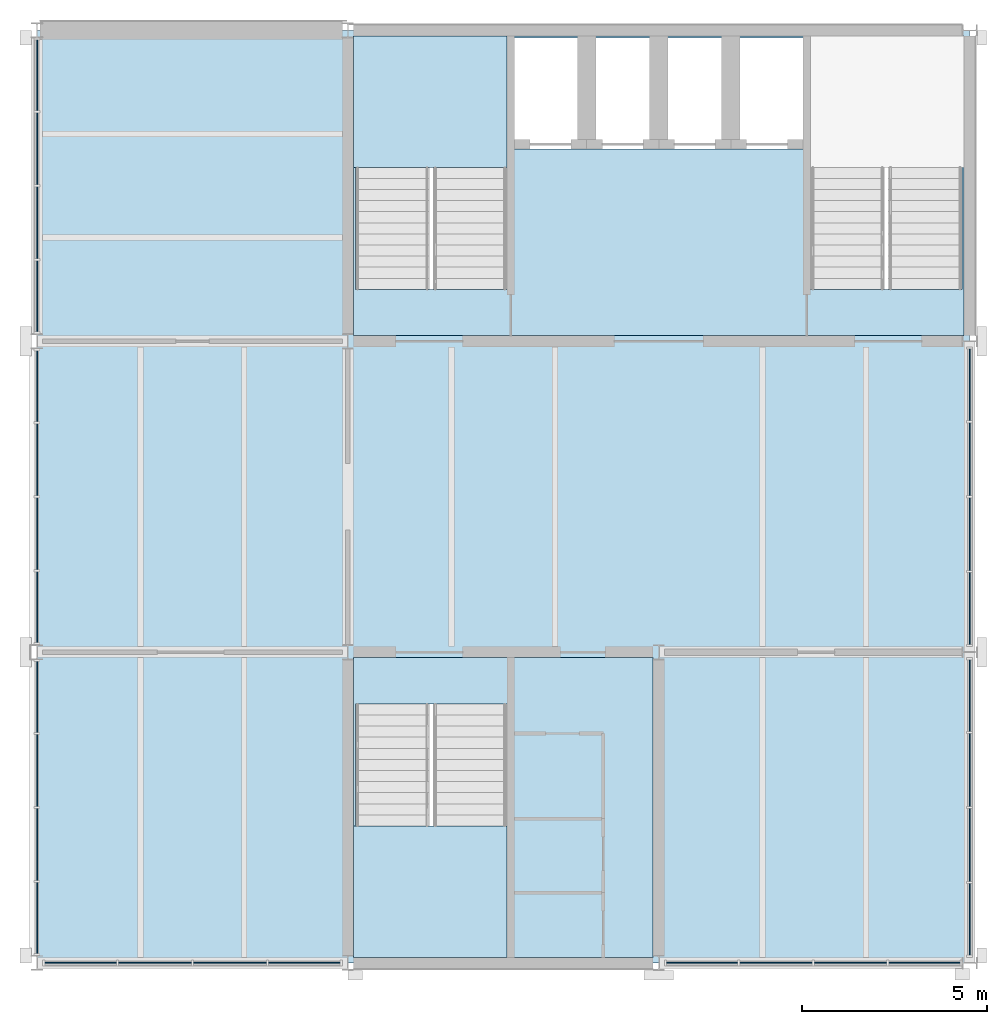
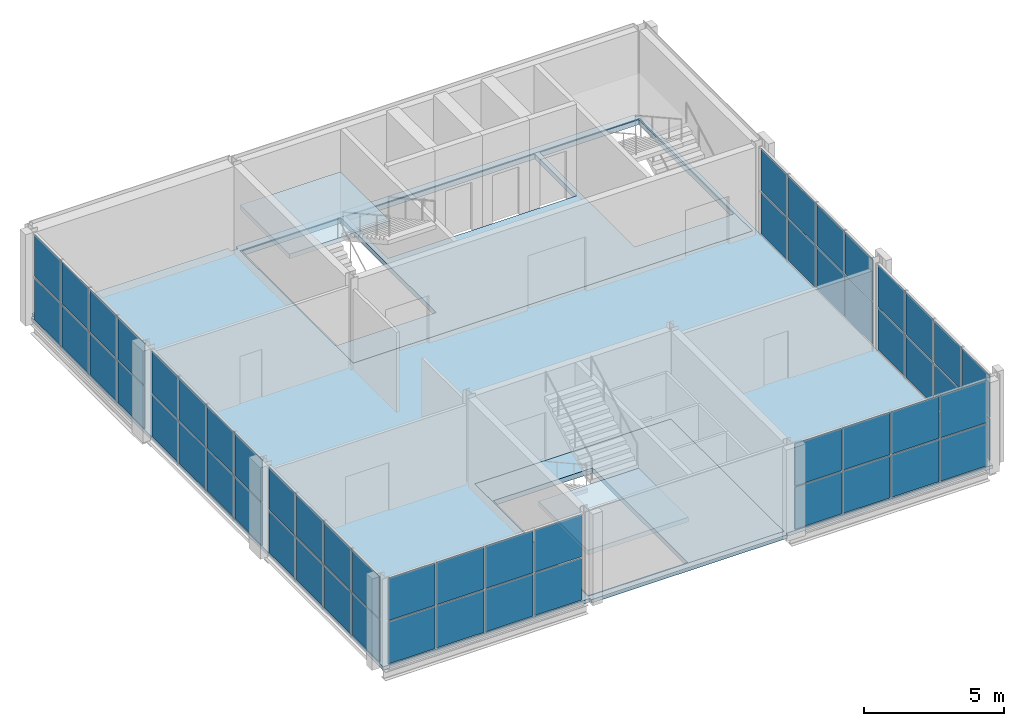
# One storey, part 5 of 8: 56 plates, 5 slabs, 9 elements without a shape of their own.
"""IFC4 building model written with IfcOpenShell, lengths in metres."""

import ifcopenshell
import ifcopenshell.guid

model = None  # the IFC model being written
_history = None  # IfcOwnerHistory: only IFC2X3 demands one
_inside = {}  # id of a spatial element -> (the spatial element, [elements in it])
_under = {}  # id of a project, library or spatial element -> (it, [spatial elements below it])
_declared = {}  # id of a project -> (the project, [libraries it declares])
_typed = {}  # id of a type object -> (the type object, [elements of that type])
_made_of = {}  # id of a material, layer set ... -> (it, [elements and type objects made of it])


def new_model(schema):
    """Start an empty IFC model of exactly this schema.

    Asked for "IFC4X3", IfcOpenShell would pick the latest addendum, in which some entities
    have other attributes; the version numbers below select the first issue.
    IFC2X3 requires an IfcOwnerHistory on every rooted entity: one is made here for all.
    """
    global model, _history
    if schema == "IFC4X3":
        model = ifcopenshell.file(schema_version=(4, 3, 0, 0))
    else:
        model = ifcopenshell.file(schema=schema)
    _inside.clear()
    _under.clear()
    _declared.clear()
    _typed.clear()
    _made_of.clear()
    _history = None
    if model.schema == "IFC2X3":
        org = make("IfcOrganization", Name="unknown")
        user = make(
            "IfcPersonAndOrganization",
            ThePerson=make("IfcPerson", FamilyName="unknown"),
            TheOrganization=org,
        )
        app = make(
            "IfcApplication",
            ApplicationDeveloper=org,
            Version="unknown",
            ApplicationFullName="unknown",
            ApplicationIdentifier="unknown",
        )
        _history = make(
            "IfcOwnerHistory",
            OwningUser=user,
            OwningApplication=app,
            ChangeAction="ADDED",
            CreationDate=0,
        )
    return model


def make(cls, **values):
    """One entity of the class cls with the attributes given. An attribute that is None is left unset."""
    return model.create_entity(
        cls, **{name: value for name, value in values.items() if value is not None}
    )


def rooted(cls, **values):
    """An entity with a GlobalId (a new one), such as an element, a storey or a relation."""
    return make(cls, GlobalId=ifcopenshell.guid.new(), OwnerHistory=_history, **values)


def si_unit(unit_type, name, prefix=None):
    """IfcSIUnit, for example si_unit("LENGTHUNIT", "METRE", prefix="MILLI")."""
    return make("IfcSIUnit", UnitType=unit_type, Prefix=prefix, Name=name)


def assignment(units):
    """IfcUnitAssignment: the units of a project."""
    return None if units is None else make("IfcUnitAssignment", Units=units)


def point(xyz):
    """IfcCartesianPoint."""
    return None if xyz is None else make("IfcCartesianPoint", Coordinates=xyz)


def direction(xyz):
    """IfcDirection."""
    return None if xyz is None else make("IfcDirection", DirectionRatios=xyz)


def frame(location, z_axis=None, x_axis=None):
    """IfcAxis2Placement3D, a coordinate frame: its origin and axes. An axis left out is left unset."""
    return make(
        "IfcAxis2Placement3D",
        Location=point(location),
        Axis=direction(z_axis),
        RefDirection=direction(x_axis),
    )


def frame_2d(location, x_axis=None):
    """IfcAxis2Placement2D, a coordinate frame in the plane: its origin and x axis."""
    return make(
        "IfcAxis2Placement2D", Location=point(location), RefDirection=direction(x_axis)
    )


def origin():
    """The frame at (0, 0, 0) with its axes left unset."""
    return frame((0.0, 0.0, 0.0))


def origin_2d():
    """The frame at (0, 0) in the plane with its x axis left unset."""
    return frame_2d((0.0, 0.0))


def place(relative_to, where):
    """IfcLocalPlacement: puts the frame where relative to a parent placement (None: the world)."""
    return make(
        "IfcLocalPlacement", PlacementRelTo=relative_to, RelativePlacement=where
    )


def context(
    kind, dimensions, precision=None, world=None, true_north=None, identifier=None
):
    """IfcGeometricRepresentationContext, for example the 3D "Model" context."""
    return make(
        "IfcGeometricRepresentationContext",
        ContextIdentifier=identifier,
        ContextType=kind,
        CoordinateSpaceDimension=dimensions,
        Precision=precision,
        WorldCoordinateSystem=world,
        TrueNorth=true_north,
    )


def subcontext(parent, identifier, kind, view, scale=None):
    """IfcGeometricRepresentationSubContext, for example "Body" below "Model"."""
    return make(
        "IfcGeometricRepresentationSubContext",
        ContextIdentifier=identifier,
        ContextType=kind,
        ParentContext=parent,
        TargetScale=scale,
        TargetView=view,
    )


def project(units=None, contexts=None):
    """IfcProject with its units and contexts."""
    return rooted(
        "IfcProject",
        Name="project",
        RepresentationContexts=contexts,
        UnitsInContext=assignment(units),
    )


def spatial(cls, under=None, at=None, **own):
    """A site, building, storey or space (cls), placed at a placement, below another one or the project."""
    s = rooted(cls, ObjectPlacement=at, **own)
    if under is not None:
        _under.setdefault(under.id(), (under, []))[1].append(s)
    return s


def polyline(points):
    """IfcPolyline through the points."""
    return make("IfcPolyline", Points=[point(p) for p in points])


def profile(cls, at=None, kind="AREA", **sizes):
    """A parametric profile (cls). Its sizes go by their IFC names, for example OverallWidth=200.0."""
    return make(cls, ProfileType=kind, Position=at, **sizes)


def rectangle(**sizes):
    """IfcRectangleProfileDef."""
    return profile("IfcRectangleProfileDef", **sizes)


def outline(outer, holes=None, kind="AREA"):
    """IfcArbitraryClosedProfileDef: a profile drawn as a closed curve; with holes, ...WithVoids."""
    if holes is None:
        return make("IfcArbitraryClosedProfileDef", ProfileType=kind, OuterCurve=outer)
    return make(
        "IfcArbitraryProfileDefWithVoids",
        ProfileType=kind,
        OuterCurve=outer,
        InnerCurves=holes,
    )


def extrude(swept, where, along, depth):
    """IfcExtrudedAreaSolid: the profile swept, set in the frame where, extruded along a direction by depth."""
    return make(
        "IfcExtrudedAreaSolid",
        SweptArea=swept,
        Position=where,
        ExtrudedDirection=direction(along),
        Depth=depth,
    )


def shape(context_of_items, identifier, shape_type, items):
    """IfcShapeRepresentation: the items that make up one representation, for example the "Body"."""
    return make(
        "IfcShapeRepresentation",
        ContextOfItems=context_of_items,
        RepresentationIdentifier=identifier,
        RepresentationType=shape_type,
        Items=items,
    )


def material(Name=None, Category=None):
    """IfcMaterial."""
    return make("IfcMaterial", Name=Name, Category=Category)


def layer(
    of_material, thickness, ventilated=None, Name=None, Category=None, Priority=None
):
    """IfcMaterialLayer: one layer of a wall or slab, of a material (None: an air gap)."""
    return make(
        "IfcMaterialLayer",
        Material=of_material,
        LayerThickness=thickness,
        IsVentilated=ventilated,
        Name=Name,
        Category=Category,
        Priority=Priority,
    )


def layer_set(layers, Name=None):
    """IfcMaterialLayerSet."""
    return make("IfcMaterialLayerSet", MaterialLayers=layers, LayerSetName=Name)


def made_of(thing, what):
    """Note that an element or type object is made of a material, layer set ...; save() writes the relation."""
    if what is not None:
        _made_of.setdefault(what.id(), (what, []))[1].append(thing)
    return thing


def type_object(cls, material=None, **own):
    """A type object (cls), such as IfcWallType, which elements share."""
    return made_of(rooted(cls, **own), material)


def element(
    cls,
    number,
    at=None,
    inside=None,
    cuts=None,
    type_object=None,
    material=None,
    context=None,
    identifier="Body",
    shape_type=None,
    held_by="IfcProductDefinitionShape",
    body=None,
    shapes=None,
    **own,
):
    """One element of the class cls, such as IfcWall. Its Tag is "e" and its number.

    at: its placement. inside: the storey or other place that contains it. cuts: it is an
    opening in that element (IfcRelVoidsElement). A single representation is given by context,
    identifier, shape_type and body (its items); several are given by shapes. held_by: the class
    of the entity that holds the representations. save() writes the other relations.
    """
    e = rooted(cls, Tag="e%d" % number, ObjectPlacement=at, **own)
    if body is not None:
        shapes = [shape(context, identifier, shape_type, body)]
    if shapes is not None:
        e.Representation = make(held_by, Representations=shapes)
    if inside is not None:
        _inside.setdefault(inside.id(), (inside, []))[1].append(e)
    if cuts is not None:
        rooted(
            "IfcRelVoidsElement", RelatingBuildingElement=cuts, RelatedOpeningElement=e
        )
    if type_object is not None:
        _typed.setdefault(type_object.id(), (type_object, []))[1].append(e)
    return made_of(e, material)


def aggregate(whole, parts):
    """IfcRelAggregates: a whole, such as a stair, and the parts it consists of."""
    return rooted("IfcRelAggregates", RelatingObject=whole, RelatedObjects=parts)


def save(model, path):
    """Write the relations noted so far, then the file.

    IfcRelAggregates (storeys below a building ...), IfcRelContainedInSpatialStructure (elements
    in a storey), IfcRelDefinesByType, IfcRelAssociatesMaterial and IfcRelDeclares: one each for
    every whole, place, type object, material and project.
    """
    for whole, parts in _under.values():
        aggregate(whole, parts)
    for where, things in _inside.values():
        rooted(
            "IfcRelContainedInSpatialStructure",
            RelatedElements=things,
            RelatingStructure=where,
        )
    for kind, things in _typed.values():
        rooted("IfcRelDefinesByType", RelatedObjects=things, RelatingType=kind)
    for what, things in _made_of.values():
        rooted("IfcRelAssociatesMaterial", RelatedObjects=things, RelatingMaterial=what)
    for by, libraries in _declared.values():
        rooted("IfcRelDeclares", RelatingContext=by, RelatedDefinitions=libraries)
    model.write(path)


model = new_model("IFC4")

# Units and contexts
model_context = context("Model", 3, precision=1e-05, world=origin(), true_north=direction((0.0, 1.0)))
body_context = subcontext(model_context, "Body", "Model", "MODEL_VIEW")
ifc_project = project(units=[si_unit("LENGTHUNIT", "METRE"), si_unit("AREAUNIT", "SQUARE_METRE"), si_unit("VOLUMEUNIT", "CUBIC_METRE"), si_unit("PLANEANGLEUNIT", "RADIAN"), si_unit("MASSUNIT", "GRAM", prefix="KILO")], contexts=[model_context])

# Site, building, storey
site_placement = place(None, origin())
site = spatial("IfcSite", under=ifc_project, at=site_placement, CompositionType="ELEMENT")
building_placement = place(site_placement, origin())
building = spatial("IfcBuilding", under=site, at=building_placement, Name="Galleria Vessillo Department Store", CompositionType="ELEMENT")
storey_placement = place(building_placement, frame((0.0, 0.0, 51.60009765625)))
storey = spatial("IfcBuildingStorey", under=building, at=storey_placement, Name="L11", CompositionType="ELEMENT", Elevation=51.60009765625)

# Slab
ifc_material_1 = material(Name="Concrete C32/40 composite on steel deck", Category="concrete")
ifc_layer_1 = layer(ifc_material_1, 0.14990234375)
ifc_layer_set_1 = layer_set([ifc_layer_1], Name="Concrete C32/40 composite on steel deck")
slab_type_1 = type_object("IfcSlabType", Name="Composite floor slab 150 mm", PredefinedType="FLOOR", material=ifc_layer_set_1)
slab_1_placement = place(storey_placement, frame((0.0, 0.0, -0.14990234375)))
element("IfcSlab", 1, at=slab_1_placement, inside=storey, type_object=slab_type_1, Name="S-SLAB-L11-FLOOR", PredefinedType="FLOOR", context=body_context, shape_type="SweptSolid", body=[
    extrude(outline(polyline([(100.95068359375, 37.800048828125), (92.39990234375, 37.800048828125), (92.39990234375, 63.0), (92.550537109375, 63.0), (92.550537109375, 63.199951171875), (100.6494140625, 63.199951171875), (100.6494140625, 63.0), (100.95068359375, 63.0), (100.95068359375, 63.1494140625), (117.3994140625, 63.1494140625), (117.3994140625, 63.0), (117.60009765625, 63.0), (117.60009765625, 37.800048828125), (109.04931640625, 37.800048828125), (109.04931640625, 37.699951171875), (100.95068359375, 37.699951171875), (100.95068359375, 37.800048828125)]), holes=[polyline([(109.050048828125, 37.949951171875), (109.050048828125, 46.050048828125), (100.949951171875, 46.050048828125), (100.949951171875, 37.949951171875), (109.050048828125, 37.949951171875)]), polyline([(117.4501953125, 54.75), (117.4501953125, 62.85009765625), (100.949951171875, 62.85009765625), (100.949951171875, 54.75), (117.4501953125, 54.75)])]), origin(), (0.0, 0.0, 1.0), 0.14990234375),
])

# Curtain wall, plates
ifc_material_2 = material(Name="Aluminium and glass curtain wall", Category="aluminium")
ifc_layer_2 = layer(ifc_material_2, 0.159912109375)
ifc_layer_set_2 = layer_set([ifc_layer_2], Name="Aluminium and glass curtain wall")
curtain_wall_type = type_object("IfcCurtainWallType", Name="Tower curtain wall CW4 2100 module", PredefinedType="NOTDEFINED", material=ifc_layer_set_2)
curtain_wall_1_placement = place(storey_placement, origin())
curtain_wall_1 = element("IfcCurtainWall", 2, at=curtain_wall_1_placement, inside=storey, type_object=curtain_wall_type, Name="Tower curtain wall CW4 2100 module TW-L11-01", PredefinedType="NOTDEFINED")
ifc_material_3 = material(Name="Glass laminated 44.2 low-e", Category="glass")
ifc_layer_3 = layer(ifc_material_3, 0.028076171875)
ifc_layer_set_3 = layer_set([ifc_layer_3], Name="Glass laminated 44.2 low-e")
plate_type_1 = type_object("IfcPlateType", Name="Laminated glass panel 28 mm", PredefinedType="CURTAIN_PANEL", material=ifc_layer_set_3)
plate_1_placement = place(storey_placement, frame((92.39990234375, 39.014892578125, 1.955078125), z_axis=(0.0, 0.0, 1.0), x_axis=(0.0, 1.0, 0.0)))
plate_1 = element("IfcPlate", 3, at=plate_1_placement, type_object=plate_type_1, Name="CW4 panel 1.2", PredefinedType="CURTAIN_PANEL", context=body_context, shape_type="SweptSolid", body=[
    extrude(rectangle(XDim=1.909912109375, YDim=0.028076171875, at=origin_2d()), origin(), (0.0, 0.0, 1.0), 1.835205078125),
])
plate_2_placement = place(storey_placement, frame((92.39990234375, 41.0, 1.955078125), z_axis=(0.0, 0.0, 1.0), x_axis=(0.0, 1.0, 0.0)))
plate_2 = element("IfcPlate", 4, at=plate_2_placement, type_object=plate_type_1, Name="CW4 panel 2.2", PredefinedType="CURTAIN_PANEL", context=body_context, shape_type="SweptSolid", body=[
    extrude(rectangle(XDim=1.93994140625, YDim=0.028076171875, at=origin_2d()), origin(), (0.0, 0.0, 1.0), 1.835205078125),
])
plate_3_placement = place(storey_placement, frame((92.39990234375, 43.0, 1.955078125), z_axis=(0.0, 0.0, 1.0), x_axis=(0.0, 1.0, 0.0)))
plate_3 = element("IfcPlate", 5, at=plate_3_placement, type_object=plate_type_1, Name="CW4 panel 3.2", PredefinedType="CURTAIN_PANEL", context=body_context, shape_type="SweptSolid", body=[
    extrude(rectangle(XDim=1.93994140625, YDim=0.028076171875, at=origin_2d()), origin(), (0.0, 0.0, 1.0), 1.835205078125),
])
plate_4_placement = place(storey_placement, frame((92.39990234375, 44.985107421875, 1.955078125), z_axis=(0.0, 0.0, 1.0), x_axis=(0.0, 1.0, 0.0)))
plate_4 = element("IfcPlate", 6, at=plate_4_placement, type_object=plate_type_1, Name="CW4 panel 4.2", PredefinedType="CURTAIN_PANEL", context=body_context, shape_type="SweptSolid", body=[
    extrude(rectangle(XDim=1.909912109375, YDim=0.028076171875, at=origin_2d()), origin(), (0.0, 0.0, 1.0), 1.835205078125),
])

curtain_wall_2_placement = place(storey_placement, origin())
curtain_wall_2 = element("IfcCurtainWall", 7, at=curtain_wall_2_placement, inside=storey, type_object=curtain_wall_type, Name="Tower curtain wall CW4 2100 module TW-L11-02", PredefinedType="NOTDEFINED")
plate_5_placement = place(storey_placement, frame((92.39990234375, 47.4150390625, 1.955078125), z_axis=(0.0, 0.0, 1.0), x_axis=(0.0, 1.0, 0.0)))
plate_5 = element("IfcPlate", 8, at=plate_5_placement, type_object=plate_type_1, Name="CW4 panel 1.2", PredefinedType="CURTAIN_PANEL", context=body_context, shape_type="SweptSolid", body=[
    extrude(rectangle(XDim=1.91015625, YDim=0.028076171875, at=origin_2d()), origin(), (0.0, 0.0, 1.0), 1.835205078125),
])
plate_6_placement = place(storey_placement, frame((92.39990234375, 49.39990234375, 1.955078125), z_axis=(0.0, 0.0, 1.0), x_axis=(0.0, 1.0, 0.0)))
plate_6 = element("IfcPlate", 9, at=plate_6_placement, type_object=plate_type_1, Name="CW4 panel 2.2", PredefinedType="CURTAIN_PANEL", context=body_context, shape_type="SweptSolid", body=[
    extrude(rectangle(XDim=1.93994140625, YDim=0.028076171875, at=origin_2d()), origin(), (0.0, 0.0, 1.0), 1.835205078125),
])
plate_7_placement = place(storey_placement, frame((92.39990234375, 51.400146484375, 1.955078125), z_axis=(0.0, 0.0, 1.0), x_axis=(0.0, 1.0, 0.0)))
plate_7 = element("IfcPlate", 10, at=plate_7_placement, type_object=plate_type_1, Name="CW4 panel 3.2", PredefinedType="CURTAIN_PANEL", context=body_context, shape_type="SweptSolid", body=[
    extrude(rectangle(XDim=1.93994140625, YDim=0.028076171875, at=origin_2d()), origin(), (0.0, 0.0, 1.0), 1.835205078125),
])
plate_8_placement = place(storey_placement, frame((92.39990234375, 53.385009765625, 1.955078125), z_axis=(0.0, 0.0, 1.0), x_axis=(0.0, 1.0, 0.0)))
plate_8 = element("IfcPlate", 11, at=plate_8_placement, type_object=plate_type_1, Name="CW4 panel 4.2", PredefinedType="CURTAIN_PANEL", context=body_context, shape_type="SweptSolid", body=[
    extrude(rectangle(XDim=1.91015625, YDim=0.028076171875, at=origin_2d()), origin(), (0.0, 0.0, 1.0), 1.835205078125),
])

curtain_wall_3_placement = place(storey_placement, origin())
curtain_wall_3 = element("IfcCurtainWall", 12, at=curtain_wall_3_placement, inside=storey, type_object=curtain_wall_type, Name="Tower curtain wall CW4 2100 module TW-L11-03", PredefinedType="NOTDEFINED")
plate_9_placement = place(storey_placement, frame((92.39990234375, 55.81494140625, 1.955078125), z_axis=(0.0, 0.0, 1.0), x_axis=(0.0, 1.0, 0.0)))
plate_9 = element("IfcPlate", 13, at=plate_9_placement, type_object=plate_type_1, Name="CW4 panel 1.2", PredefinedType="CURTAIN_PANEL", context=body_context, shape_type="SweptSolid", body=[
    extrude(rectangle(XDim=1.909912109375, YDim=0.028076171875, at=origin_2d()), origin(), (0.0, 0.0, 1.0), 1.835205078125),
])
plate_10_placement = place(storey_placement, frame((92.39990234375, 57.800048828125, 1.955078125), z_axis=(0.0, 0.0, 1.0), x_axis=(0.0, 1.0, 0.0)))
plate_10 = element("IfcPlate", 14, at=plate_10_placement, type_object=plate_type_1, Name="CW4 panel 2.2", PredefinedType="CURTAIN_PANEL", context=body_context, shape_type="SweptSolid", body=[
    extrude(rectangle(XDim=1.93994140625, YDim=0.028076171875, at=origin_2d()), origin(), (0.0, 0.0, 1.0), 1.835205078125),
])
plate_11_placement = place(storey_placement, frame((92.39990234375, 59.800048828125, 1.955078125), z_axis=(0.0, 0.0, 1.0), x_axis=(0.0, 1.0, 0.0)))
plate_11 = element("IfcPlate", 15, at=plate_11_placement, type_object=plate_type_1, Name="CW4 panel 3.2", PredefinedType="CURTAIN_PANEL", context=body_context, shape_type="SweptSolid", body=[
    extrude(rectangle(XDim=1.93994140625, YDim=0.028076171875, at=origin_2d()), origin(), (0.0, 0.0, 1.0), 1.835205078125),
])
plate_12_placement = place(storey_placement, frame((92.39990234375, 61.78515625, 1.955078125), z_axis=(0.0, 0.0, 1.0), x_axis=(0.0, 1.0, 0.0)))
plate_12 = element("IfcPlate", 16, at=plate_12_placement, type_object=plate_type_1, Name="CW4 panel 4.2", PredefinedType="CURTAIN_PANEL", context=body_context, shape_type="SweptSolid", body=[
    extrude(rectangle(XDim=1.909912109375, YDim=0.028076171875, at=origin_2d()), origin(), (0.0, 0.0, 1.0), 1.835205078125),
])

curtain_wall_4_placement = place(storey_placement, origin())
curtain_wall_4 = element("IfcCurtainWall", 17, at=curtain_wall_4_placement, inside=storey, type_object=curtain_wall_type, Name="Tower curtain wall CW4 2100 module TS-L11-01", PredefinedType="NOTDEFINED")
plate_13_placement = place(storey_placement, frame((93.577392578125, 37.800048828125, 1.955078125), z_axis=(0.0, 0.0, 1.0), x_axis=(1.0, 0.0, 0.0)))
plate_13 = element("IfcPlate", 18, at=plate_13_placement, type_object=plate_type_1, Name="CW4 panel 1.2", PredefinedType="CURTAIN_PANEL", context=body_context, shape_type="SweptSolid", body=[
    extrude(rectangle(XDim=1.93505859375, YDim=0.028076171875, at=origin_2d()), origin(), (0.0, 0.0, 1.0), 1.835205078125),
])
plate_14_placement = place(storey_placement, frame((95.58740234375, 37.800048828125, 1.955078125), z_axis=(0.0, 0.0, 1.0), x_axis=(1.0, 0.0, 0.0)))
plate_14 = element("IfcPlate", 19, at=plate_14_placement, type_object=plate_type_1, Name="CW4 panel 2.2", PredefinedType="CURTAIN_PANEL", context=body_context, shape_type="SweptSolid", body=[
    extrude(rectangle(XDim=1.965087890625, YDim=0.028076171875, at=origin_2d()), origin(), (0.0, 0.0, 1.0), 1.835205078125),
])
plate_15_placement = place(storey_placement, frame((97.612548828125, 37.800048828125, 1.955078125), z_axis=(0.0, 0.0, 1.0), x_axis=(1.0, 0.0, 0.0)))
plate_15 = element("IfcPlate", 20, at=plate_15_placement, type_object=plate_type_1, Name="CW4 panel 3.2", PredefinedType="CURTAIN_PANEL", context=body_context, shape_type="SweptSolid", body=[
    extrude(rectangle(XDim=1.965087890625, YDim=0.028076171875, at=origin_2d()), origin(), (0.0, 0.0, 1.0), 1.835205078125),
])
plate_16_placement = place(storey_placement, frame((99.62255859375, 37.800048828125, 1.955078125), z_axis=(0.0, 0.0, 1.0), x_axis=(1.0, 0.0, 0.0)))
plate_16 = element("IfcPlate", 21, at=plate_16_placement, type_object=plate_type_1, Name="CW4 panel 4.2", PredefinedType="CURTAIN_PANEL", context=body_context, shape_type="SweptSolid", body=[
    extrude(rectangle(XDim=1.93505859375, YDim=0.028076171875, at=origin_2d()), origin(), (0.0, 0.0, 1.0), 1.835205078125),
])

curtain_wall_5_placement = place(storey_placement, origin())
curtain_wall_5 = element("IfcCurtainWall", 22, at=curtain_wall_5_placement, inside=storey, type_object=curtain_wall_type, Name="Tower curtain wall CW4 2100 module TS-L11-02", PredefinedType="NOTDEFINED")
plate_17_placement = place(storey_placement, frame((110.37109375, 37.800048828125, 1.955078125), z_axis=(0.0, 0.0, 1.0), x_axis=(1.0, 0.0, 0.0)))
plate_17 = element("IfcPlate", 23, at=plate_17_placement, type_object=plate_type_1, Name="CW4 panel 1.2", PredefinedType="CURTAIN_PANEL", context=body_context, shape_type="SweptSolid", body=[
    extrude(rectangle(XDim=1.922607421875, YDim=0.028076171875, at=origin_2d()), origin(), (0.0, 0.0, 1.0), 1.835205078125),
])
plate_18_placement = place(storey_placement, frame((112.36865234375, 37.800048828125, 1.955078125), z_axis=(0.0, 0.0, 1.0), x_axis=(1.0, 0.0, 0.0)))
plate_18 = element("IfcPlate", 24, at=plate_18_placement, type_object=plate_type_1, Name="CW4 panel 2.2", PredefinedType="CURTAIN_PANEL", context=body_context, shape_type="SweptSolid", body=[
    extrude(rectangle(XDim=1.95263671875, YDim=0.028076171875, at=origin_2d()), origin(), (0.0, 0.0, 1.0), 1.835205078125),
])
plate_19_placement = place(storey_placement, frame((114.38134765625, 37.800048828125, 1.955078125), z_axis=(0.0, 0.0, 1.0), x_axis=(1.0, 0.0, 0.0)))
plate_19 = element("IfcPlate", 25, at=plate_19_placement, type_object=plate_type_1, Name="CW4 panel 3.2", PredefinedType="CURTAIN_PANEL", context=body_context, shape_type="SweptSolid", body=[
    extrude(rectangle(XDim=1.95263671875, YDim=0.028076171875, at=origin_2d()), origin(), (0.0, 0.0, 1.0), 1.835205078125),
])
plate_20_placement = place(storey_placement, frame((116.37890625, 37.800048828125, 1.955078125), z_axis=(0.0, 0.0, 1.0), x_axis=(1.0, 0.0, 0.0)))
plate_20 = element("IfcPlate", 26, at=plate_20_placement, type_object=plate_type_1, Name="CW4 panel 4.2", PredefinedType="CURTAIN_PANEL", context=body_context, shape_type="SweptSolid", body=[
    extrude(rectangle(XDim=1.922607421875, YDim=0.028076171875, at=origin_2d()), origin(), (0.0, 0.0, 1.0), 1.835205078125),
])

curtain_wall_6_placement = place(storey_placement, origin())
curtain_wall_6 = element("IfcCurtainWall", 27, at=curtain_wall_6_placement, inside=storey, type_object=curtain_wall_type, Name="Tower curtain wall CW4 2100 module TE-L11-01", PredefinedType="NOTDEFINED")
plate_21_placement = place(storey_placement, frame((117.60009765625, 38.9775390625, 1.955078125), z_axis=(0.0, 0.0, 1.0), x_axis=(0.0, 1.0, 0.0)))
plate_21 = element("IfcPlate", 28, at=plate_21_placement, type_object=plate_type_1, Name="CW4 panel 1.2", PredefinedType="CURTAIN_PANEL", context=body_context, shape_type="SweptSolid", body=[
    extrude(rectangle(XDim=1.93505859375, YDim=0.028076171875, at=origin_2d()), origin(), (0.0, 0.0, 1.0), 1.835205078125),
])
plate_22_placement = place(storey_placement, frame((117.60009765625, 40.987548828125, 1.955078125), z_axis=(0.0, 0.0, 1.0), x_axis=(0.0, 1.0, 0.0)))
plate_22 = element("IfcPlate", 29, at=plate_22_placement, type_object=plate_type_1, Name="CW4 panel 2.2", PredefinedType="CURTAIN_PANEL", context=body_context, shape_type="SweptSolid", body=[
    extrude(rectangle(XDim=1.965087890625, YDim=0.028076171875, at=origin_2d()), origin(), (0.0, 0.0, 1.0), 1.835205078125),
])
plate_23_placement = place(storey_placement, frame((117.60009765625, 43.012451171875, 1.955078125), z_axis=(0.0, 0.0, 1.0), x_axis=(0.0, 1.0, 0.0)))
plate_23 = element("IfcPlate", 30, at=plate_23_placement, type_object=plate_type_1, Name="CW4 panel 3.2", PredefinedType="CURTAIN_PANEL", context=body_context, shape_type="SweptSolid", body=[
    extrude(rectangle(XDim=1.965087890625, YDim=0.028076171875, at=origin_2d()), origin(), (0.0, 0.0, 1.0), 1.835205078125),
])
plate_24_placement = place(storey_placement, frame((117.60009765625, 45.0224609375, 1.955078125), z_axis=(0.0, 0.0, 1.0), x_axis=(0.0, 1.0, 0.0)))
plate_24 = element("IfcPlate", 31, at=plate_24_placement, type_object=plate_type_1, Name="CW4 panel 4.2", PredefinedType="CURTAIN_PANEL", context=body_context, shape_type="SweptSolid", body=[
    extrude(rectangle(XDim=1.93505859375, YDim=0.028076171875, at=origin_2d()), origin(), (0.0, 0.0, 1.0), 1.835205078125),
])

curtain_wall_7_placement = place(storey_placement, origin())
curtain_wall_7 = element("IfcCurtainWall", 32, at=curtain_wall_7_placement, inside=storey, type_object=curtain_wall_type, Name="Tower curtain wall CW4 2100 module TE-L11-02", PredefinedType="NOTDEFINED")
plate_25_placement = place(storey_placement, frame((117.60009765625, 47.37744140625, 1.955078125), z_axis=(0.0, 0.0, 1.0), x_axis=(0.0, 1.0, 0.0)))
plate_25 = element("IfcPlate", 33, at=plate_25_placement, type_object=plate_type_1, Name="CW4 panel 1.2", PredefinedType="CURTAIN_PANEL", context=body_context, shape_type="SweptSolid", body=[
    extrude(rectangle(XDim=1.93505859375, YDim=0.028076171875, at=origin_2d()), origin(), (0.0, 0.0, 1.0), 1.835205078125),
])
plate_26_placement = place(storey_placement, frame((117.60009765625, 49.387451171875, 1.955078125), z_axis=(0.0, 0.0, 1.0), x_axis=(0.0, 1.0, 0.0)))
plate_26 = element("IfcPlate", 34, at=plate_26_placement, type_object=plate_type_1, Name="CW4 panel 2.2", PredefinedType="CURTAIN_PANEL", context=body_context, shape_type="SweptSolid", body=[
    extrude(rectangle(XDim=1.965087890625, YDim=0.028076171875, at=origin_2d()), origin(), (0.0, 0.0, 1.0), 1.835205078125),
])
plate_27_placement = place(storey_placement, frame((117.60009765625, 51.41259765625, 1.955078125), z_axis=(0.0, 0.0, 1.0), x_axis=(0.0, 1.0, 0.0)))
plate_27 = element("IfcPlate", 35, at=plate_27_placement, type_object=plate_type_1, Name="CW4 panel 3.2", PredefinedType="CURTAIN_PANEL", context=body_context, shape_type="SweptSolid", body=[
    extrude(rectangle(XDim=1.965087890625, YDim=0.028076171875, at=origin_2d()), origin(), (0.0, 0.0, 1.0), 1.835205078125),
])
plate_28_placement = place(storey_placement, frame((117.60009765625, 53.422607421875, 1.955078125), z_axis=(0.0, 0.0, 1.0), x_axis=(0.0, 1.0, 0.0)))
plate_28 = element("IfcPlate", 36, at=plate_28_placement, type_object=plate_type_1, Name="CW4 panel 4.2", PredefinedType="CURTAIN_PANEL", context=body_context, shape_type="SweptSolid", body=[
    extrude(rectangle(XDim=1.93505859375, YDim=0.028076171875, at=origin_2d()), origin(), (0.0, 0.0, 1.0), 1.835205078125),
])

# Slabs
ifc_material_4 = material(Name="Concrete C32/40 reinforced", Category="concrete")
ifc_layer_4 = layer(ifc_material_4, 0.219970703125)
ifc_layer_set_4 = layer_set([ifc_layer_4], Name="Concrete C32/40 reinforced")
slab_type_2 = type_object("IfcSlabType", Name="Reinforced concrete core floor slab 220 mm", PredefinedType="FLOOR", material=ifc_layer_set_4)
slab_2_placement = place(storey_placement, frame((0.0, 0.0, -0.219970703125)))
element("IfcSlab", 37, at=slab_2_placement, inside=storey, type_object=slab_type_2, Name="S-SLAB-L11-CORE-TC", PredefinedType="FLOOR", context=body_context, shape_type="SweptSolid", body=[
    extrude(outline(polyline([(100.949951171875, 54.75), (100.949951171875, 62.85009765625), (117.4501953125, 62.85009765625), (117.4501953125, 54.75), (100.949951171875, 54.75)]), holes=[polyline([(105.10009765625, 56.0), (105.10009765625, 62.800048828125), (101.0, 62.800048828125), (101.0, 56.0), (105.10009765625, 56.0)]), polyline([(113.300048828125, 56.0), (117.39990234375, 56.0), (117.39990234375, 62.800048828125), (113.300048828125, 62.800048828125), (113.300048828125, 56.0)]), polyline([(105.300048828125, 59.800048828125), (113.10009765625, 59.800048828125), (113.10009765625, 62.800048828125), (105.300048828125, 62.800048828125), (105.300048828125, 59.800048828125)])]), origin(), (0.0, 0.0, 1.0), 0.219970703125),
])
slab_3_placement = place(storey_placement, frame((0.0, 0.0, -0.219970703125)))
element("IfcSlab", 38, at=slab_3_placement, inside=storey, type_object=slab_type_2, Name="S-SLAB-L11-CORE-TS", PredefinedType="FLOOR", context=body_context, shape_type="SweptSolid", body=[
    extrude(outline(polyline([(100.949951171875, 37.949951171875), (100.949951171875, 46.050048828125), (109.050048828125, 46.050048828125), (109.050048828125, 37.949951171875), (100.949951171875, 37.949951171875)]), holes=[polyline([(105.10009765625, 44.800048828125), (101.0, 44.800048828125), (101.0, 38.0), (105.10009765625, 38.0), (105.10009765625, 44.800048828125)])]), origin(), (0.0, 0.0, 1.0), 0.219970703125),
])

# Stair, slab
ifc_material_5 = material(Name="Concrete C32/40", Category="concrete")
stair_type = type_object("IfcStairType", Name="Half-turn escape stair 2000 mm, 24 risers of 167 mm", PredefinedType="HALF_TURN_STAIR", material=ifc_material_5)
stair_1_placement = place(storey_placement, origin())
stair_1 = element("IfcStair", 39, at=stair_1_placement, inside=storey, type_object=stair_type, Name="Stair ST8 L11", PredefinedType="HALF_TURN_STAIR")
ifc_material_6 = material(Name="Concrete C32/40", Category="concrete")
ifc_layer_5 = layer(ifc_material_6, 0.199951171875)
ifc_layer_set_5 = layer_set([ifc_layer_5], Name="Concrete C32/40")
slab_type_3 = type_object("IfcSlabType", Name="Stair half landing 4150 x 3550 mm", PredefinedType="LANDING", material=ifc_layer_set_5)
slab_4_placement = place(storey_placement, frame((0.0, 0.0, 1.800048828125)))
slab_4 = element("IfcSlab", 40, at=slab_4_placement, type_object=slab_type_3, Name="ST8 landing 1", PredefinedType="LANDING", context=body_context, shape_type="SweptSolid", body=[
    extrude(outline(polyline([(100.949951171875, 59.300048828125), (100.949951171875, 62.85009765625), (105.10009765625, 62.85009765625), (105.10009765625, 59.300048828125), (100.949951171875, 59.300048828125)])), origin(), (0.0, 0.0, 1.0), 0.199951171875),
])
aggregate(stair_1, [slab_4])

stair_2_placement = place(storey_placement, origin())
stair_2 = element("IfcStair", 41, at=stair_2_placement, inside=storey, type_object=stair_type, Name="Stair ST12 L11", PredefinedType="HALF_TURN_STAIR")
slab_5_placement = place(storey_placement, frame((0.0, 0.0, 1.800048828125)))
slab_5 = element("IfcSlab", 42, at=slab_5_placement, type_object=slab_type_3, Name="ST12 landing 1", PredefinedType="LANDING", context=body_context, shape_type="SweptSolid", body=[
    extrude(outline(polyline([(100.949951171875, 37.949951171875), (100.949951171875, 41.5), (105.10009765625, 41.5), (105.10009765625, 37.949951171875), (100.949951171875, 37.949951171875)])), origin(), (0.0, 0.0, 1.0), 0.199951171875),
])
aggregate(stair_2, [slab_5])

# Plate
ifc_material_7 = material(Name="Limestone spandrel on aluminium tray", Category="masonry")
ifc_layer_6 = layer(ifc_material_7, 0.028076171875)
ifc_layer_set_6 = layer_set([ifc_layer_6], Name="Limestone spandrel on aluminium tray")
plate_type_2 = type_object("IfcPlateType", Name="Stone spandrel panel 28 mm", PredefinedType="CURTAIN_PANEL", material=ifc_layer_set_6)
plate_29_placement = place(storey_placement, frame((92.39990234375, 39.014892578125, 0.06005859375), z_axis=(0.0, 0.0, 1.0), x_axis=(0.0, 1.0, 0.0)))
plate_29 = element("IfcPlate", 43, at=plate_29_placement, type_object=plate_type_2, Name="CW4 panel 1.1", PredefinedType="CURTAIN_PANEL", context=body_context, shape_type="SweptSolid", body=[
    extrude(rectangle(XDim=1.909912109375, YDim=0.028076171875, at=origin_2d()), origin(), (0.0, 0.0, 1.0), 1.8349609375),
])

plate_30_placement = place(storey_placement, frame((92.39990234375, 41.0, 0.06005859375), z_axis=(0.0, 0.0, 1.0), x_axis=(0.0, 1.0, 0.0)))
plate_30 = element("IfcPlate", 44, at=plate_30_placement, type_object=plate_type_2, Name="CW4 panel 2.1", PredefinedType="CURTAIN_PANEL", context=body_context, shape_type="SweptSolid", body=[
    extrude(rectangle(XDim=1.93994140625, YDim=0.028076171875, at=origin_2d()), origin(), (0.0, 0.0, 1.0), 1.8349609375),
])

plate_31_placement = place(storey_placement, frame((92.39990234375, 43.0, 0.06005859375), z_axis=(0.0, 0.0, 1.0), x_axis=(0.0, 1.0, 0.0)))
plate_31 = element("IfcPlate", 45, at=plate_31_placement, type_object=plate_type_2, Name="CW4 panel 3.1", PredefinedType="CURTAIN_PANEL", context=body_context, shape_type="SweptSolid", body=[
    extrude(rectangle(XDim=1.93994140625, YDim=0.028076171875, at=origin_2d()), origin(), (0.0, 0.0, 1.0), 1.8349609375),
])

plate_32_placement = place(storey_placement, frame((92.39990234375, 44.985107421875, 0.06005859375), z_axis=(0.0, 0.0, 1.0), x_axis=(0.0, 1.0, 0.0)))
plate_32 = element("IfcPlate", 46, at=plate_32_placement, type_object=plate_type_2, Name="CW4 panel 4.1", PredefinedType="CURTAIN_PANEL", context=body_context, shape_type="SweptSolid", body=[
    extrude(rectangle(XDim=1.909912109375, YDim=0.028076171875, at=origin_2d()), origin(), (0.0, 0.0, 1.0), 1.8349609375),
])

aggregate(curtain_wall_1, [plate_29, plate_1, plate_30, plate_2, plate_31, plate_3, plate_32, plate_4])

plate_33_placement = place(storey_placement, frame((92.39990234375, 47.4150390625, 0.06005859375), z_axis=(0.0, 0.0, 1.0), x_axis=(0.0, 1.0, 0.0)))
plate_33 = element("IfcPlate", 47, at=plate_33_placement, type_object=plate_type_2, Name="CW4 panel 1.1", PredefinedType="CURTAIN_PANEL", context=body_context, shape_type="SweptSolid", body=[
    extrude(rectangle(XDim=1.91015625, YDim=0.028076171875, at=origin_2d()), origin(), (0.0, 0.0, 1.0), 1.8349609375),
])

plate_34_placement = place(storey_placement, frame((92.39990234375, 49.39990234375, 0.06005859375), z_axis=(0.0, 0.0, 1.0), x_axis=(0.0, 1.0, 0.0)))
plate_34 = element("IfcPlate", 48, at=plate_34_placement, type_object=plate_type_2, Name="CW4 panel 2.1", PredefinedType="CURTAIN_PANEL", context=body_context, shape_type="SweptSolid", body=[
    extrude(rectangle(XDim=1.93994140625, YDim=0.028076171875, at=origin_2d()), origin(), (0.0, 0.0, 1.0), 1.8349609375),
])

plate_35_placement = place(storey_placement, frame((92.39990234375, 51.400146484375, 0.06005859375), z_axis=(0.0, 0.0, 1.0), x_axis=(0.0, 1.0, 0.0)))
plate_35 = element("IfcPlate", 49, at=plate_35_placement, type_object=plate_type_2, Name="CW4 panel 3.1", PredefinedType="CURTAIN_PANEL", context=body_context, shape_type="SweptSolid", body=[
    extrude(rectangle(XDim=1.93994140625, YDim=0.028076171875, at=origin_2d()), origin(), (0.0, 0.0, 1.0), 1.8349609375),
])

plate_36_placement = place(storey_placement, frame((92.39990234375, 53.385009765625, 0.06005859375), z_axis=(0.0, 0.0, 1.0), x_axis=(0.0, 1.0, 0.0)))
plate_36 = element("IfcPlate", 50, at=plate_36_placement, type_object=plate_type_2, Name="CW4 panel 4.1", PredefinedType="CURTAIN_PANEL", context=body_context, shape_type="SweptSolid", body=[
    extrude(rectangle(XDim=1.91015625, YDim=0.028076171875, at=origin_2d()), origin(), (0.0, 0.0, 1.0), 1.8349609375),
])

aggregate(curtain_wall_2, [plate_33, plate_5, plate_34, plate_6, plate_35, plate_7, plate_36, plate_8])

plate_37_placement = place(storey_placement, frame((92.39990234375, 55.81494140625, 0.06005859375), z_axis=(0.0, 0.0, 1.0), x_axis=(0.0, 1.0, 0.0)))
plate_37 = element("IfcPlate", 51, at=plate_37_placement, type_object=plate_type_2, Name="CW4 panel 1.1", PredefinedType="CURTAIN_PANEL", context=body_context, shape_type="SweptSolid", body=[
    extrude(rectangle(XDim=1.909912109375, YDim=0.028076171875, at=origin_2d()), origin(), (0.0, 0.0, 1.0), 1.8349609375),
])

plate_38_placement = place(storey_placement, frame((92.39990234375, 57.800048828125, 0.06005859375), z_axis=(0.0, 0.0, 1.0), x_axis=(0.0, 1.0, 0.0)))
plate_38 = element("IfcPlate", 52, at=plate_38_placement, type_object=plate_type_2, Name="CW4 panel 2.1", PredefinedType="CURTAIN_PANEL", context=body_context, shape_type="SweptSolid", body=[
    extrude(rectangle(XDim=1.93994140625, YDim=0.028076171875, at=origin_2d()), origin(), (0.0, 0.0, 1.0), 1.8349609375),
])

plate_39_placement = place(storey_placement, frame((92.39990234375, 59.800048828125, 0.06005859375), z_axis=(0.0, 0.0, 1.0), x_axis=(0.0, 1.0, 0.0)))
plate_39 = element("IfcPlate", 53, at=plate_39_placement, type_object=plate_type_2, Name="CW4 panel 3.1", PredefinedType="CURTAIN_PANEL", context=body_context, shape_type="SweptSolid", body=[
    extrude(rectangle(XDim=1.93994140625, YDim=0.028076171875, at=origin_2d()), origin(), (0.0, 0.0, 1.0), 1.8349609375),
])

plate_40_placement = place(storey_placement, frame((92.39990234375, 61.78515625, 0.06005859375), z_axis=(0.0, 0.0, 1.0), x_axis=(0.0, 1.0, 0.0)))
plate_40 = element("IfcPlate", 54, at=plate_40_placement, type_object=plate_type_2, Name="CW4 panel 4.1", PredefinedType="CURTAIN_PANEL", context=body_context, shape_type="SweptSolid", body=[
    extrude(rectangle(XDim=1.909912109375, YDim=0.028076171875, at=origin_2d()), origin(), (0.0, 0.0, 1.0), 1.8349609375),
])

aggregate(curtain_wall_3, [plate_37, plate_9, plate_38, plate_10, plate_39, plate_11, plate_40, plate_12])

plate_41_placement = place(storey_placement, frame((93.577392578125, 37.800048828125, 0.06005859375), z_axis=(0.0, 0.0, 1.0), x_axis=(1.0, 0.0, 0.0)))
plate_41 = element("IfcPlate", 55, at=plate_41_placement, type_object=plate_type_2, Name="CW4 panel 1.1", PredefinedType="CURTAIN_PANEL", context=body_context, shape_type="SweptSolid", body=[
    extrude(rectangle(XDim=1.93505859375, YDim=0.028076171875, at=origin_2d()), origin(), (0.0, 0.0, 1.0), 1.8349609375),
])

plate_42_placement = place(storey_placement, frame((95.58740234375, 37.800048828125, 0.06005859375), z_axis=(0.0, 0.0, 1.0), x_axis=(1.0, 0.0, 0.0)))
plate_42 = element("IfcPlate", 56, at=plate_42_placement, type_object=plate_type_2, Name="CW4 panel 2.1", PredefinedType="CURTAIN_PANEL", context=body_context, shape_type="SweptSolid", body=[
    extrude(rectangle(XDim=1.965087890625, YDim=0.028076171875, at=origin_2d()), origin(), (0.0, 0.0, 1.0), 1.8349609375),
])

plate_43_placement = place(storey_placement, frame((97.612548828125, 37.800048828125, 0.06005859375), z_axis=(0.0, 0.0, 1.0), x_axis=(1.0, 0.0, 0.0)))
plate_43 = element("IfcPlate", 57, at=plate_43_placement, type_object=plate_type_2, Name="CW4 panel 3.1", PredefinedType="CURTAIN_PANEL", context=body_context, shape_type="SweptSolid", body=[
    extrude(rectangle(XDim=1.965087890625, YDim=0.028076171875, at=origin_2d()), origin(), (0.0, 0.0, 1.0), 1.8349609375),
])

plate_44_placement = place(storey_placement, frame((99.62255859375, 37.800048828125, 0.06005859375), z_axis=(0.0, 0.0, 1.0), x_axis=(1.0, 0.0, 0.0)))
plate_44 = element("IfcPlate", 58, at=plate_44_placement, type_object=plate_type_2, Name="CW4 panel 4.1", PredefinedType="CURTAIN_PANEL", context=body_context, shape_type="SweptSolid", body=[
    extrude(rectangle(XDim=1.93505859375, YDim=0.028076171875, at=origin_2d()), origin(), (0.0, 0.0, 1.0), 1.8349609375),
])

aggregate(curtain_wall_4, [plate_41, plate_13, plate_42, plate_14, plate_43, plate_15, plate_44, plate_16])

plate_45_placement = place(storey_placement, frame((110.37109375, 37.800048828125, 0.06005859375), z_axis=(0.0, 0.0, 1.0), x_axis=(1.0, 0.0, 0.0)))
plate_45 = element("IfcPlate", 59, at=plate_45_placement, type_object=plate_type_2, Name="CW4 panel 1.1", PredefinedType="CURTAIN_PANEL", context=body_context, shape_type="SweptSolid", body=[
    extrude(rectangle(XDim=1.922607421875, YDim=0.028076171875, at=origin_2d()), origin(), (0.0, 0.0, 1.0), 1.8349609375),
])

plate_46_placement = place(storey_placement, frame((112.36865234375, 37.800048828125, 0.06005859375), z_axis=(0.0, 0.0, 1.0), x_axis=(1.0, 0.0, 0.0)))
plate_46 = element("IfcPlate", 60, at=plate_46_placement, type_object=plate_type_2, Name="CW4 panel 2.1", PredefinedType="CURTAIN_PANEL", context=body_context, shape_type="SweptSolid", body=[
    extrude(rectangle(XDim=1.95263671875, YDim=0.028076171875, at=origin_2d()), origin(), (0.0, 0.0, 1.0), 1.8349609375),
])

plate_47_placement = place(storey_placement, frame((114.38134765625, 37.800048828125, 0.06005859375), z_axis=(0.0, 0.0, 1.0), x_axis=(1.0, 0.0, 0.0)))
plate_47 = element("IfcPlate", 61, at=plate_47_placement, type_object=plate_type_2, Name="CW4 panel 3.1", PredefinedType="CURTAIN_PANEL", context=body_context, shape_type="SweptSolid", body=[
    extrude(rectangle(XDim=1.95263671875, YDim=0.028076171875, at=origin_2d()), origin(), (0.0, 0.0, 1.0), 1.8349609375),
])

plate_48_placement = place(storey_placement, frame((116.37890625, 37.800048828125, 0.06005859375), z_axis=(0.0, 0.0, 1.0), x_axis=(1.0, 0.0, 0.0)))
plate_48 = element("IfcPlate", 62, at=plate_48_placement, type_object=plate_type_2, Name="CW4 panel 4.1", PredefinedType="CURTAIN_PANEL", context=body_context, shape_type="SweptSolid", body=[
    extrude(rectangle(XDim=1.922607421875, YDim=0.028076171875, at=origin_2d()), origin(), (0.0, 0.0, 1.0), 1.8349609375),
])

aggregate(curtain_wall_5, [plate_45, plate_17, plate_46, plate_18, plate_47, plate_19, plate_48, plate_20])

plate_49_placement = place(storey_placement, frame((117.60009765625, 38.9775390625, 0.06005859375), z_axis=(0.0, 0.0, 1.0), x_axis=(0.0, 1.0, 0.0)))
plate_49 = element("IfcPlate", 63, at=plate_49_placement, type_object=plate_type_2, Name="CW4 panel 1.1", PredefinedType="CURTAIN_PANEL", context=body_context, shape_type="SweptSolid", body=[
    extrude(rectangle(XDim=1.93505859375, YDim=0.028076171875, at=origin_2d()), origin(), (0.0, 0.0, 1.0), 1.8349609375),
])

plate_50_placement = place(storey_placement, frame((117.60009765625, 40.987548828125, 0.06005859375), z_axis=(0.0, 0.0, 1.0), x_axis=(0.0, 1.0, 0.0)))
plate_50 = element("IfcPlate", 64, at=plate_50_placement, type_object=plate_type_2, Name="CW4 panel 2.1", PredefinedType="CURTAIN_PANEL", context=body_context, shape_type="SweptSolid", body=[
    extrude(rectangle(XDim=1.965087890625, YDim=0.028076171875, at=origin_2d()), origin(), (0.0, 0.0, 1.0), 1.8349609375),
])

plate_51_placement = place(storey_placement, frame((117.60009765625, 43.012451171875, 0.06005859375), z_axis=(0.0, 0.0, 1.0), x_axis=(0.0, 1.0, 0.0)))
plate_51 = element("IfcPlate", 65, at=plate_51_placement, type_object=plate_type_2, Name="CW4 panel 3.1", PredefinedType="CURTAIN_PANEL", context=body_context, shape_type="SweptSolid", body=[
    extrude(rectangle(XDim=1.965087890625, YDim=0.028076171875, at=origin_2d()), origin(), (0.0, 0.0, 1.0), 1.8349609375),
])

plate_52_placement = place(storey_placement, frame((117.60009765625, 45.0224609375, 0.06005859375), z_axis=(0.0, 0.0, 1.0), x_axis=(0.0, 1.0, 0.0)))
plate_52 = element("IfcPlate", 66, at=plate_52_placement, type_object=plate_type_2, Name="CW4 panel 4.1", PredefinedType="CURTAIN_PANEL", context=body_context, shape_type="SweptSolid", body=[
    extrude(rectangle(XDim=1.93505859375, YDim=0.028076171875, at=origin_2d()), origin(), (0.0, 0.0, 1.0), 1.8349609375),
])

aggregate(curtain_wall_6, [plate_49, plate_21, plate_50, plate_22, plate_51, plate_23, plate_52, plate_24])

plate_53_placement = place(storey_placement, frame((117.60009765625, 47.37744140625, 0.06005859375), z_axis=(0.0, 0.0, 1.0), x_axis=(0.0, 1.0, 0.0)))
plate_53 = element("IfcPlate", 67, at=plate_53_placement, type_object=plate_type_2, Name="CW4 panel 1.1", PredefinedType="CURTAIN_PANEL", context=body_context, shape_type="SweptSolid", body=[
    extrude(rectangle(XDim=1.93505859375, YDim=0.028076171875, at=origin_2d()), origin(), (0.0, 0.0, 1.0), 1.8349609375),
])

plate_54_placement = place(storey_placement, frame((117.60009765625, 49.387451171875, 0.06005859375), z_axis=(0.0, 0.0, 1.0), x_axis=(0.0, 1.0, 0.0)))
plate_54 = element("IfcPlate", 68, at=plate_54_placement, type_object=plate_type_2, Name="CW4 panel 2.1", PredefinedType="CURTAIN_PANEL", context=body_context, shape_type="SweptSolid", body=[
    extrude(rectangle(XDim=1.965087890625, YDim=0.028076171875, at=origin_2d()), origin(), (0.0, 0.0, 1.0), 1.8349609375),
])

plate_55_placement = place(storey_placement, frame((117.60009765625, 51.41259765625, 0.06005859375), z_axis=(0.0, 0.0, 1.0), x_axis=(0.0, 1.0, 0.0)))
plate_55 = element("IfcPlate", 69, at=plate_55_placement, type_object=plate_type_2, Name="CW4 panel 3.1", PredefinedType="CURTAIN_PANEL", context=body_context, shape_type="SweptSolid", body=[
    extrude(rectangle(XDim=1.965087890625, YDim=0.028076171875, at=origin_2d()), origin(), (0.0, 0.0, 1.0), 1.8349609375),
])

plate_56_placement = place(storey_placement, frame((117.60009765625, 53.422607421875, 0.06005859375), z_axis=(0.0, 0.0, 1.0), x_axis=(0.0, 1.0, 0.0)))
plate_56 = element("IfcPlate", 70, at=plate_56_placement, type_object=plate_type_2, Name="CW4 panel 4.1", PredefinedType="CURTAIN_PANEL", context=body_context, shape_type="SweptSolid", body=[
    extrude(rectangle(XDim=1.93505859375, YDim=0.028076171875, at=origin_2d()), origin(), (0.0, 0.0, 1.0), 1.8349609375),
])

aggregate(curtain_wall_7, [plate_53, plate_25, plate_54, plate_26, plate_55, plate_27, plate_56, plate_28])

save(model, "model.ifc")
